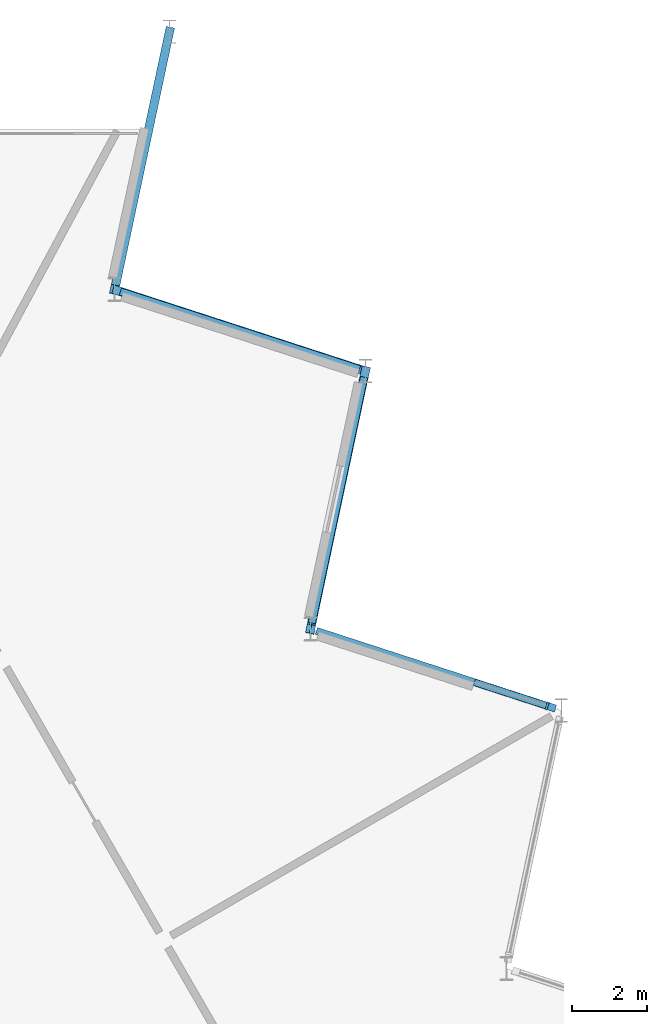
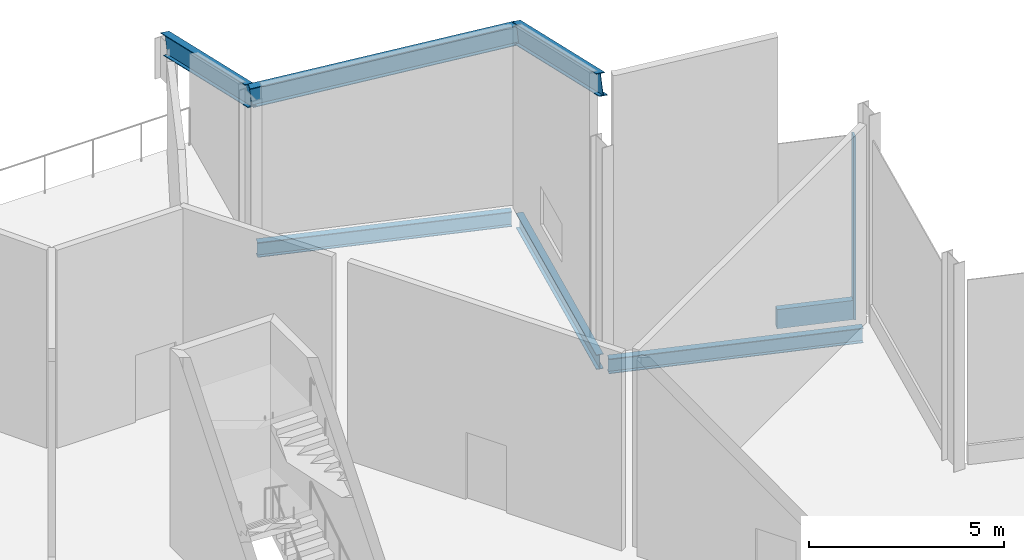
# One storey, part 8 of 12: 5 members, 3 beams, 1 element without a shape of its own.
"""IFC4 building model written with IfcOpenShell, lengths in metres."""

from ifc_helpers import new_model, si_unit, direction, frame, origin, origin_2d, place, context, subcontext, project, spatial, rectangle, i_section, extrude, material, layer, layer_set, material_profile, profile_set, type_object, element, aggregate, save


model = new_model("IFC4")

# Units and contexts
model_context = context("Model", 3, precision=1e-05, world=origin(), true_north=direction((0.0, 1.0)))
body_context = subcontext(model_context, "Body", "Model", "MODEL_VIEW")
ifc_project = project(units=[si_unit("LENGTHUNIT", "METRE"), si_unit("AREAUNIT", "SQUARE_METRE"), si_unit("VOLUMEUNIT", "CUBIC_METRE"), si_unit("PLANEANGLEUNIT", "RADIAN"), si_unit("MASSUNIT", "GRAM", prefix="KILO")], contexts=[model_context])

# Site, building, storey
site_placement = place(None, origin())
site = spatial("IfcSite", under=ifc_project, at=site_placement, CompositionType="ELEMENT")
building_placement = place(site_placement, origin())
building = spatial("IfcBuilding", under=site, at=building_placement, Name="Cormorant Prow Tower", CompositionType="ELEMENT")
storey_placement = place(building_placement, frame((0.0, 0.0, 434.699951171875)))
storey = spatial("IfcBuildingStorey", under=building, at=storey_placement, Name="L97", CompositionType="ELEMENT", Elevation=434.699951171875)

# Members
ifc_material_1 = material(Name="Structural steel ASTM A992 Gr 50", Category="steel")
ifc_material_profile_1 = material_profile(ifc_material_1, i_section(OverallWidth=0.22900390625, OverallDepth=0.612060546875, WebThickness=0.011962890625, FlangeThickness=0.01953125, at=origin_2d()), Name="W24x84")
ifc_profile_set_1 = profile_set([ifc_material_profile_1], Name="Structural steel ASTM A992 Gr 50")
member_type_1 = type_object("IfcMemberType", Name="Crown frame edge member W24x84", PredefinedType="USERDEFINED", material=ifc_profile_set_1)
member_1_placement = place(storey_placement, frame((13.9287109375, 20.050537109375, 5.214111328125), z_axis=(-0.942279930766, 0.306165792831, -0.135539807349), x_axis=(-0.309017436199, -0.951056372738, 0.0)))
element("IfcMember", 1, at=member_1_placement, inside=storey, type_object=member_type_1, Name="Crown frame edge member CF3 ENE07-ENE08", ObjectType="CROWN FRAME", PredefinedType="USERDEFINED", context=body_context, shape_type="SweptSolid", body=[
    extrude(i_section(OverallWidth=0.22900390625, OverallDepth=0.612060546875, WebThickness=0.011962890625, FlangeThickness=0.01953125, at=origin_2d()), origin(), (0.0, 0.0, 1.0), 7.062744140625),
])
ifc_material_2 = material(Name="Structural steel ASTM A992 Gr 50", Category="steel")
ifc_material_profile_2 = material_profile(ifc_material_2, i_section(OverallWidth=0.22900390625, OverallDepth=0.612060546875, WebThickness=0.011962890625, FlangeThickness=0.01953125, at=origin_2d()), Name="W24x84")
ifc_profile_set_2 = profile_set([ifc_material_profile_2], Name="Structural steel ASTM A992 Gr 50")
member_type_2 = type_object("IfcMemberType", Name="Crown frame rafter W24x84", PredefinedType="RAFTER", material=ifc_profile_set_2)
member_2_placement = place(storey_placement, frame((12.473876953125, 13.206298828125, 8.25732421875), z_axis=(0.190796928041, 0.897600449857, -0.397378867917), x_axis=(-0.978146257121, 0.207918011921, 0.0)))
element("IfcMember", 2, at=member_2_placement, inside=storey, type_object=member_type_2, Name="Crown frame rafter CF2 ENE06-ENE07", PredefinedType="RAFTER", context=body_context, shape_type="SweptSolid", body=[
    extrude(i_section(OverallWidth=0.22900390625, OverallDepth=0.612060546875, WebThickness=0.011962890625, FlangeThickness=0.01953125, at=origin_2d()), origin(), (0.0, 0.0, 1.0), 7.625),
])
member_3_placement = place(storey_placement, frame((7.273681640625, 22.212890625, 4.27001953125), z_axis=(0.190794500406, 0.897589029096, -0.397405829676), x_axis=(-0.978146257121, 0.207918011921, 0.0)))
element("IfcMember", 3, at=member_3_placement, inside=storey, type_object=member_type_2, Name="Crown frame rafter CF2 ENE08-ENE09", PredefinedType="RAFTER", context=body_context, shape_type="SweptSolid", body=[
    extrude(i_section(OverallWidth=0.22900390625, OverallDepth=0.612060546875, WebThickness=0.011962890625, FlangeThickness=0.01953125, at=origin_2d()), origin(), (0.0, 0.0, 1.0), 7.625244140625),
])

# Curtain wall, member
ifc_material_3 = material(Name="Aluminium 6063-T6", Category="aluminium")
ifc_layer = layer(ifc_material_3, 0.219970703125)
ifc_layer_set = layer_set([ifc_layer], Name="Aluminium 6063-T6")
curtain_wall_type = type_object("IfcCurtainWallType", Name="Crown unitised curtain wall 220", PredefinedType="NOTDEFINED", material=ifc_layer_set)
curtain_wall_placement = place(storey_placement, origin())
curtain_wall = element("IfcCurtainWall", 4, at=curtain_wall_placement, inside=storey, type_object=curtain_wall_type, Name="Crown curtain wall crown ENE05", PredefinedType="NOTDEFINED")
ifc_material_4 = material(Name="Aluminium 6063-T6", Category="aluminium")
ifc_material_profile_3 = material_profile(ifc_material_4, rectangle(XDim=0.219970703125, YDim=0.06005859375, at=origin_2d()), Name="Crown mullion 60x220")
ifc_profile_set_3 = profile_set([ifc_material_profile_3], Name="Aluminium 6063-T6")
member_type_3 = type_object("IfcMemberType", Name="Crown mullion 60x220", PredefinedType="MULLION", material=ifc_profile_set_3)
member_4_placement = place(storey_placement, frame((18.751953125, 11.166259765625, 0.0), z_axis=(0.0, 0.0, 1.0), x_axis=(-0.309017066365, -0.951056492904, 0.0)))
member_4 = element("IfcMember", 5, at=member_4_placement, type_object=member_type_3, Name="Crown mullion crown ENE05", PredefinedType="MULLION", context=body_context, shape_type="SweptSolid", body=[
    extrude(rectangle(XDim=0.219970703125, YDim=0.06005859375, at=origin_2d()), origin(), (0.0, 0.0, 1.0), 5.73388671875),
])

# Beams
ifc_material_5 = material(Name="Structural steel ASTM A992 Gr 50", Category="steel")
ifc_material_profile_4 = material_profile(ifc_material_5, i_section(OverallWidth=0.19287109375, OverallDepth=0.466064453125, WebThickness=0.011474609375, FlangeThickness=0.01904296875, at=origin_2d()), Name="W18x65")
ifc_profile_set_4 = profile_set([ifc_material_profile_4], Name="Structural steel ASTM A992 Gr 50")
beam_type = type_object("IfcBeamType", Name="Crown ring beam W18x65", PredefinedType="SPANDREL", material=ifc_profile_set_4)
for number, where, z_axis, x_axis, name in (
    (6, (18.973388671875, 11.09423828125, -0.532958984375), (-0.951049666898, 0.309038073858, 0.0), (-0.309038073858, -0.951049666898, 0.0), "Crown ring beam SB5 ENE05-ENE06 L97"),
    (7, (12.5078125, 13.365966796875, -0.532958984375), (0.207919161079, 0.978146012851, 0.0), (-0.978146012851, 0.207919161079, 0.0), "Crown ring beam SB5 ENE06-ENE07 L97"),
):
    element("IfcBeam", number, at=place(storey_placement, frame(where, z_axis=z_axis, x_axis=x_axis)), inside=storey, type_object=beam_type, Name=name, PredefinedType="SPANDREL", context=body_context, shape_type="SweptSolid", body=[
        extrude(i_section(OverallWidth=0.19287109375, OverallDepth=0.466064453125, WebThickness=0.011474609375, FlangeThickness=0.01904296875, at=origin_2d()), origin(), (0.0, 0.0, 1.0), 6.670654296875),
    ])
beam_placement = place(storey_placement, frame((13.7734375, 20.10107421875, -0.532958984375), z_axis=(-0.951063917575, 0.308994214649, 0.0), x_axis=(-0.308994214649, -0.951063917575, 0.0)))
element("IfcBeam", 8, at=beam_placement, inside=storey, type_object=beam_type, Name="Crown ring beam SB5 ENE07-ENE08 L97", PredefinedType="SPANDREL", context=body_context, shape_type="SweptSolid", body=[
    extrude(i_section(OverallWidth=0.19287109375, OverallDepth=0.466064453125, WebThickness=0.011474609375, FlangeThickness=0.01904296875, at=origin_2d()), origin(), (0.0, 0.0, 1.0), 6.6708984375),
])

# Member
ifc_material_6 = material(Name="Terracotta", Category="masonry")
ifc_material_profile_5 = material_profile(ifc_material_6, rectangle(XDim=0.179931640625, YDim=0.60009765625, at=origin_2d()), Name="Crown terracotta spandrel rail 180x600")
ifc_profile_set_5 = profile_set([ifc_material_profile_5], Name="Terracotta")
member_type_4 = type_object("IfcMemberType", Name="Crown terracotta spandrel rail 180x600", PredefinedType="USERDEFINED", material=ifc_profile_set_5)
member_5_placement = place(storey_placement, frame((18.723388671875, 11.175537109375, 0.300048828125), z_axis=(-0.95104751692, 0.309044690232, 0.0), x_axis=(-0.309044690232, -0.95104751692, 0.0)))
member_5 = element("IfcMember", 9, at=member_5_placement, type_object=member_type_4, Name="Crown spandrel rail crown ENE05", ObjectType="TRANSOM", PredefinedType="USERDEFINED", context=body_context, shape_type="SweptSolid", body=[
    extrude(rectangle(XDim=0.179931640625, YDim=0.60009765625, at=origin_2d()), origin(), (0.0, 0.0, 1.0), 2.0009765625),
])

aggregate(curtain_wall, [member_4, member_5])

save(model, "model.ifc")
